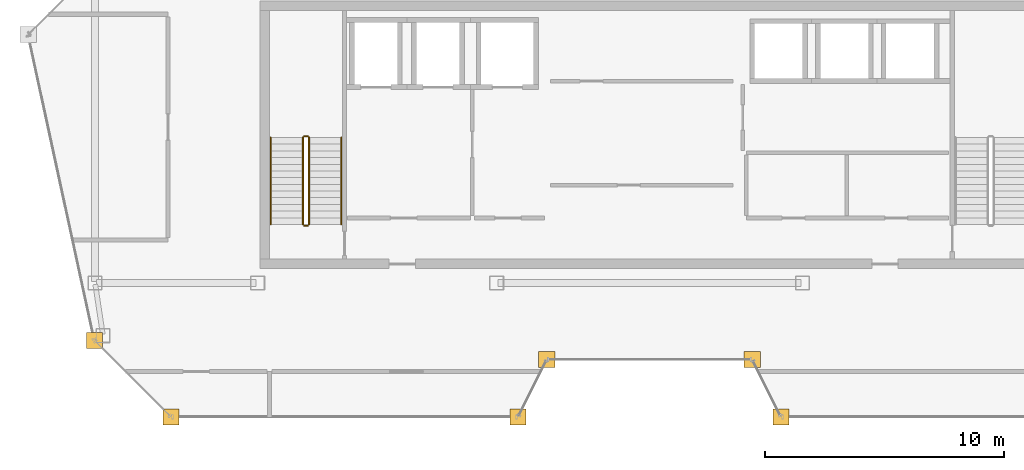
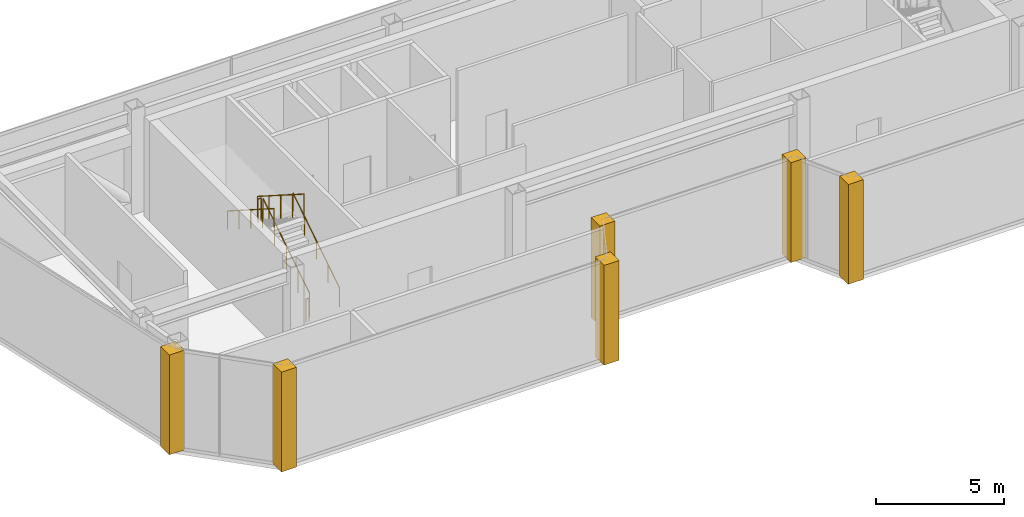
# One storey, part 18 of 20: 6 coverings, 6 railings.
"""IFC4 building model written with IfcOpenShell, lengths in metres."""

from ifc_helpers import new_model, si_unit, direction, frame, origin, origin_2d, place, context, subcontext, project, spatial, polyline, circle, outline, extrude, material, layer, layer_set, type_object, element, save


model = new_model("IFC4")

# Units and contexts
model_context = context("Model", 3, precision=1e-05, world=origin(), true_north=direction((0.0, 1.0)))
body_context = subcontext(model_context, "Body", "Model", "MODEL_VIEW")
ifc_project = project(units=[si_unit("LENGTHUNIT", "METRE"), si_unit("AREAUNIT", "SQUARE_METRE"), si_unit("VOLUMEUNIT", "CUBIC_METRE"), si_unit("PLANEANGLEUNIT", "RADIAN"), si_unit("MASSUNIT", "GRAM", prefix="KILO")], contexts=[model_context])

# Site, building, storey
site_placement = place(None, origin())
site = spatial("IfcSite", under=ifc_project, at=site_placement, CompositionType="ELEMENT")
building_placement = place(site_placement, origin())
building = spatial("IfcBuilding", under=site, at=building_placement, Name="Saevonmaru Cultural Tower", CompositionType="ELEMENT")
storey_placement = place(building_placement, frame((0.0, 0.0, 314.199951171875)))
storey = spatial("IfcBuildingStorey", under=building, at=storey_placement, Name="L75", CompositionType="ELEMENT", Elevation=314.199951171875)

# Coverings
ifc_material_1 = material(Name="Satin Bronze Anodised Aluminium", Category="aluminium")
ifc_layer = layer(ifc_material_1, 0.679931640625, Name="Satin Bronze Anodised Aluminium")
ifc_layer_set = layer_set([ifc_layer], Name="Satin Bronze Anodised Aluminium")
covering_type = type_object("IfcCoveringType", Name="CV-CORNER-CLAD", PredefinedType="CLADDING", material=ifc_layer_set)
covering_1_placement = place(storey_placement, origin())
element("IfcCovering", 1, at=covering_1_placement, inside=storey, type_object=covering_type, Name="L75 Tower Bronze Corner Cladding Pier 1", PredefinedType="CLADDING", context=body_context, shape_type="SweptSolid", body=[
    extrude(outline(polyline([(6.43310546875, 39.659912109375), (7.113037109375, 39.659912109375), (7.113037109375, 40.340087890625), (6.43310546875, 40.340087890625), (6.43310546875, 39.659912109375)])), origin(), (0.0, 0.0, 1.0), 4.75),
])
covering_2_placement = place(storey_placement, origin())
element("IfcCovering", 2, at=covering_2_placement, inside=storey, type_object=covering_type, Name="L75 Tower Bronze Corner Cladding Pier 2", PredefinedType="CLADDING", context=body_context, shape_type="SweptSolid", body=[
    extrude(outline(polyline([(9.633056640625, 36.4599609375), (10.31298828125, 36.4599609375), (10.31298828125, 37.139892578125), (9.633056640625, 37.139892578125), (9.633056640625, 36.4599609375)])), origin(), (0.0, 0.0, 1.0), 4.75),
])
covering_3_placement = place(storey_placement, origin())
element("IfcCovering", 3, at=covering_3_placement, inside=storey, type_object=covering_type, Name="L75 Tower Bronze Corner Cladding Pier 3", PredefinedType="CLADDING", context=body_context, shape_type="SweptSolid", body=[
    extrude(outline(polyline([(24.159912109375, 36.4599609375), (24.840087890625, 36.4599609375), (24.840087890625, 37.139892578125), (24.159912109375, 37.139892578125), (24.159912109375, 36.4599609375)])), origin(), (0.0, 0.0, 1.0), 4.75),
])
covering_4_placement = place(storey_placement, origin())
element("IfcCovering", 4, at=covering_4_placement, inside=storey, type_object=covering_type, Name="L75 Tower Bronze Corner Cladding Pier 4", PredefinedType="CLADDING", context=body_context, shape_type="SweptSolid", body=[
    extrude(outline(polyline([(25.360107421875, 38.860107421875), (26.0400390625, 38.860107421875), (26.0400390625, 39.5400390625), (25.360107421875, 39.5400390625), (25.360107421875, 38.860107421875)])), origin(), (0.0, 0.0, 1.0), 4.75),
])
covering_5_placement = place(storey_placement, origin())
element("IfcCovering", 5, at=covering_5_placement, inside=storey, type_object=covering_type, Name="L75 Tower Bronze Corner Cladding Pier 5", PredefinedType="CLADDING", context=body_context, shape_type="SweptSolid", body=[
    extrude(outline(polyline([(33.9599609375, 38.860107421875), (34.639892578125, 38.860107421875), (34.639892578125, 39.5400390625), (33.9599609375, 39.5400390625), (33.9599609375, 38.860107421875)])), origin(), (0.0, 0.0, 1.0), 4.75),
])
covering_6_placement = place(storey_placement, origin())
element("IfcCovering", 6, at=covering_6_placement, inside=storey, type_object=covering_type, Name="L75 Tower Bronze Corner Cladding Pier 6", PredefinedType="CLADDING", context=body_context, shape_type="SweptSolid", body=[
    extrude(outline(polyline([(35.159912109375, 36.4599609375), (35.840087890625, 36.4599609375), (35.840087890625, 37.139892578125), (35.159912109375, 37.139892578125), (35.159912109375, 36.4599609375)])), origin(), (0.0, 0.0, 1.0), 4.75),
])

# Railings
ifc_material_2 = material(Name="Architectural Painted Steel", Category="steel")
railing_type_1 = type_object("IfcRailingType", Name="RL-STAIR-GUARD", PredefinedType="GUARDRAIL", material=ifc_material_2)
railing_1_placement = place(storey_placement, frame((15.75, 44.85009765625, 0.1787109375)))
element("IfcRailing", 7, at=railing_1_placement, inside=storey, type_object=railing_type_1, Name="L75 ST-1 stair guard 1", PredefinedType="GUARDRAIL", context=body_context, shape_type="SweptSolid", body=[
    extrude(circle(Radius=0.02392578125, at=origin_2d()), frame((0.0, 0.0, 1.09619140625), z_axis=(0.0, 0.843137146238, 0.537698570422), x_axis=(-1.0, 0.0, 0.0)), (0.0, 0.0, 1.0), 4.317138671875),
    extrude(circle(Radius=0.02099609375, at=origin_2d()), origin(), (0.0, 0.0, 1.0), 1.072021484375),
    extrude(circle(Radius=0.02099609375, at=origin_2d()), frame((0.0, 0.909912109375, 0.580322265625)), (0.0, 0.0, 1.0), 1.072021484375),
    extrude(circle(Radius=0.02099609375, at=origin_2d()), frame((0.0, 1.81982421875, 1.16064453125)), (0.0, 0.0, 1.0), 1.072021484375),
    extrude(circle(Radius=0.02099609375, at=origin_2d()), frame((0.0, 2.72998046875, 1.740966796875)), (0.0, 0.0, 1.0), 1.072021484375),
    extrude(circle(Radius=0.02099609375, at=origin_2d()), frame((0.0, 3.639892578125, 2.3212890625)), (0.0, 0.0, 1.0), 1.072021484375),
])
railing_2_placement = place(storey_placement, frame((15.699951171875, 48.5400390625, 2.5)))
element("IfcRailing", 8, at=railing_2_placement, inside=storey, type_object=railing_type_1, Name="L75 ST-1 stair guard 2", PredefinedType="GUARDRAIL", context=body_context, shape_type="SweptSolid", body=[
    extrude(circle(Radius=0.02392578125, at=origin_2d()), frame((0.0, 0.0, 1.09619140625), z_axis=(-1.0, 0.0, 0.0), x_axis=(0.0, -1.0, 0.0)), (0.0, 0.0, 1.0), 0.14990234375),
    extrude(circle(Radius=0.02099609375, at=origin_2d()), origin(), (0.0, 0.0, 1.0), 1.072021484375),
    extrude(circle(Radius=0.02099609375, at=origin_2d()), frame((-0.14990234375, 0.0, 0.0)), (0.0, 0.0, 1.0), 1.072021484375),
])
railing_3_placement = place(storey_placement, frame((15.5, 48.489990234375, 2.6787109375)))
element("IfcRailing", 9, at=railing_3_placement, inside=storey, type_object=railing_type_1, Name="L75 ST-1 stair guard 3", PredefinedType="GUARDRAIL", context=body_context, shape_type="SweptSolid", body=[
    extrude(circle(Radius=0.02392578125, at=origin_2d()), frame((0.0, 0.0, 1.09619140625), z_axis=(0.0, -0.843137146238, 0.537698570422), x_axis=(1.0, 0.0, 0.0)), (0.0, 0.0, 1.0), 4.317138671875),
    extrude(circle(Radius=0.02099609375, at=origin_2d()), origin(), (0.0, 0.0, 1.0), 1.072021484375),
    extrude(circle(Radius=0.02099609375, at=origin_2d()), frame((0.0, -0.909912109375, 0.580322265625)), (0.0, 0.0, 1.0), 1.072021484375),
    extrude(circle(Radius=0.02099609375, at=origin_2d()), frame((0.0, -1.81982421875, 1.16064453125)), (0.0, 0.0, 1.0), 1.072021484375),
    extrude(circle(Radius=0.02099609375, at=origin_2d()), frame((0.0, -2.72998046875, 1.740966796875)), (0.0, 0.0, 1.0), 1.072021484375),
    extrude(circle(Radius=0.02099609375, at=origin_2d()), frame((0.0, -3.639892578125, 2.3212890625)), (0.0, 0.0, 1.0), 1.072021484375),
])
railing_4_placement = place(storey_placement, frame((15.699951171875, 44.800048828125, 0.0)))
element("IfcRailing", 10, at=railing_4_placement, inside=storey, type_object=railing_type_1, Name="L75 ST-1 stair guard 4", PredefinedType="GUARDRAIL", context=body_context, shape_type="SweptSolid", body=[
    extrude(circle(Radius=0.02392578125, at=origin_2d()), frame((0.0, 0.0, 1.09619140625), z_axis=(-1.0, 0.0, 0.0), x_axis=(0.0, -1.0, 0.0)), (0.0, 0.0, 1.0), 0.14990234375),
    extrude(circle(Radius=0.02099609375, at=origin_2d()), origin(), (0.0, 0.0, 1.0), 1.072021484375),
    extrude(circle(Radius=0.02099609375, at=origin_2d()), frame((-0.14990234375, 0.0, 0.0)), (0.0, 0.0, 1.0), 1.072021484375),
])
railing_type_2 = type_object("IfcRailingType", Name="RL-STAIR-HANDRAIL", PredefinedType="HANDRAIL", material=ifc_material_1)
railing_5_placement = place(storey_placement, frame((17.10009765625, 44.85009765625, 0.1787109375)))
element("IfcRailing", 11, at=railing_5_placement, inside=storey, type_object=railing_type_2, Name="L75 ST-1 stair handrail 1", PredefinedType="HANDRAIL", context=body_context, shape_type="SweptSolid", body=[
    extrude(circle(Radius=0.02392578125, at=origin_2d()), frame((0.0, 0.0, 0.8759765625), z_axis=(0.0, 0.843137146238, 0.537698570422), x_axis=(-1.0, 0.0, 0.0)), (0.0, 0.0, 1.0), 4.317138671875),
    extrude(circle(Radius=0.02099609375, at=origin_2d()), origin(), (0.0, 0.0, 1.0), 0.851806640625),
    extrude(circle(Radius=0.02099609375, at=origin_2d()), frame((0.0, 0.909912109375, 0.580322265625)), (0.0, 0.0, 1.0), 0.851806640625),
    extrude(circle(Radius=0.02099609375, at=origin_2d()), frame((0.0, 1.81982421875, 1.16064453125)), (0.0, 0.0, 1.0), 0.851806640625),
    extrude(circle(Radius=0.02099609375, at=origin_2d()), frame((0.0, 2.72998046875, 1.740966796875)), (0.0, 0.0, 1.0), 0.851806640625),
    extrude(circle(Radius=0.02099609375, at=origin_2d()), frame((0.0, 3.639892578125, 2.3212890625)), (0.0, 0.0, 1.0), 0.851806640625),
])
railing_6_placement = place(storey_placement, frame((14.14990234375, 48.489990234375, 2.6787109375)))
element("IfcRailing", 12, at=railing_6_placement, inside=storey, type_object=railing_type_2, Name="L75 ST-1 stair handrail 2", PredefinedType="HANDRAIL", context=body_context, shape_type="SweptSolid", body=[
    extrude(circle(Radius=0.02392578125, at=origin_2d()), frame((0.0, 0.0, 0.8759765625), z_axis=(0.0, -0.843137146238, 0.537698570422), x_axis=(1.0, 0.0, 0.0)), (0.0, 0.0, 1.0), 4.317138671875),
    extrude(circle(Radius=0.02099609375, at=origin_2d()), origin(), (0.0, 0.0, 1.0), 0.851806640625),
    extrude(circle(Radius=0.02099609375, at=origin_2d()), frame((0.0, -0.909912109375, 0.580322265625)), (0.0, 0.0, 1.0), 0.851806640625),
    extrude(circle(Radius=0.02099609375, at=origin_2d()), frame((0.0, -1.81982421875, 1.16064453125)), (0.0, 0.0, 1.0), 0.851806640625),
    extrude(circle(Radius=0.02099609375, at=origin_2d()), frame((0.0, -2.72998046875, 1.740966796875)), (0.0, 0.0, 1.0), 0.851806640625),
    extrude(circle(Radius=0.02099609375, at=origin_2d()), frame((0.0, -3.639892578125, 2.3212890625)), (0.0, 0.0, 1.0), 0.851806640625),
])

save(model, "model.ifc")
